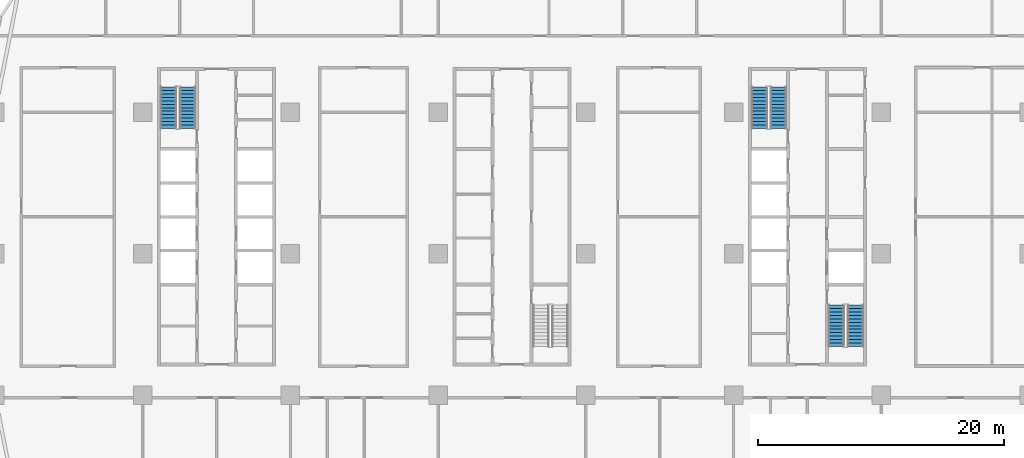
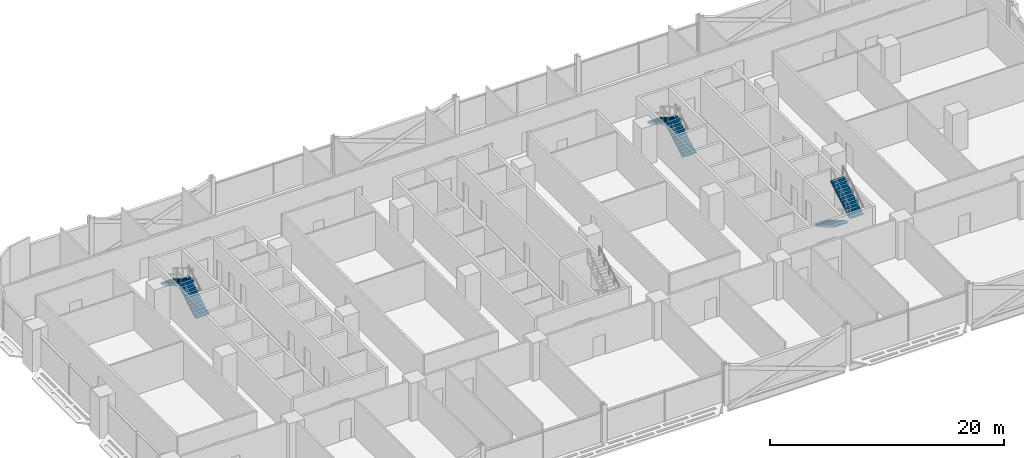
# One storey, part 19 of 30: 6 stair flights, 3 elements without a shape of their own.
"""IFC4 building model written with IfcOpenShell, lengths in metres."""

from ifc_helpers import new_model, si_unit, direction, frame, origin, place, context, subcontext, project, spatial, polyline, outline, extrude, material, type_object, element, aggregate, save


model = new_model("IFC4")

# Units and contexts
model_context = context("Model", 3, precision=1e-05, world=origin(), true_north=direction((0.0, 1.0)))
body_context = subcontext(model_context, "Body", "Model", "MODEL_VIEW")
ifc_project = project(units=[si_unit("LENGTHUNIT", "METRE"), si_unit("AREAUNIT", "SQUARE_METRE"), si_unit("VOLUMEUNIT", "CUBIC_METRE"), si_unit("PLANEANGLEUNIT", "RADIAN"), si_unit("MASSUNIT", "GRAM", prefix="KILO")], contexts=[model_context])

# Site, building, storey
site_placement = place(None, origin())
site = spatial("IfcSite", under=ifc_project, at=site_placement, CompositionType="ELEMENT")
building_placement = place(site_placement, origin())
building = spatial("IfcBuilding", under=site, at=building_placement, Name="Mahtab Terrace Research Tower", CompositionType="ELEMENT")
storey_placement = place(building_placement, frame((0.0, 0.0, 50.300048828125)))
storey = spatial("IfcBuildingStorey", under=building, at=storey_placement, Name="L11", CompositionType="ELEMENT", Elevation=50.300048828125)

# Stair, stair flights
ifc_material_1 = material(Name="Exit stair half-turn")
stair_type = type_object("IfcStairType", Name="Exit stair half-turn", PredefinedType="HALF_TURN_STAIR", material=ifc_material_1)
stair_1_placement = place(storey_placement, origin())
stair_1 = element("IfcStair", 1, at=stair_1_placement, inside=storey, type_object=stair_type, Name="L11 Protected exit stair ST1", PredefinedType="HALF_TURN_STAIR")
ifc_material_2 = material(Name="Concrete C40/50", Category="concrete")
stair_flight_type = type_object("IfcStairFlightType", Name="Exit stair flight 1300", PredefinedType="STRAIGHT", material=ifc_material_2)
stair_flight_1_placement = place(storey_placement, frame((-26.35009765625, 10.175048828125, 0.0), z_axis=(0.0, 0.0, 1.0), x_axis=(0.0, 1.0, 0.0)))
stair_flight_1 = element("IfcStairFlight", 2, at=stair_flight_1_placement, type_object=stair_flight_type, Name="ST1 flight 1", NumberOfRisers=13, NumberOfTreads=12, PredefinedType="STRAIGHT", RiserHeight=0.165384615, TreadLength=0.28, context=body_context, shape_type="SweptSolid", body=[
    extrude(outline(polyline([(0.0, 0.0), (0.0, 0.165283203125), (0.280029296875, 0.165283203125), (0.280029296875, 0.330810546875), (0.56005859375, 0.330810546875), (0.56005859375, 0.49609375), (0.840087890625, 0.49609375), (0.840087890625, 0.66162109375), (1.1201171875, 0.66162109375), (1.1201171875, 0.826904296875), (1.39990234375, 0.826904296875), (1.39990234375, 0.9921875), (1.679931640625, 0.9921875), (1.679931640625, 1.15771484375), (1.9599609375, 1.15771484375), (1.9599609375, 1.322998046875), (2.239990234375, 1.322998046875), (2.239990234375, 1.488525390625), (2.52001953125, 1.488525390625), (2.52001953125, 1.65380859375), (2.800048828125, 1.65380859375), (2.800048828125, 1.8193359375), (3.080078125, 1.8193359375), (3.080078125, 1.984619140625), (3.360107421875, 1.984619140625), (3.360107421875, 2.14990234375), (3.360107421875, 1.810546875), (0.294677734375, 0.0), (0.0, 0.0)])), frame((0.0, 0.64990234375, 0.0), z_axis=(0.0, -1.0, 0.0), x_axis=(1.0, 0.0, 0.0)), (0.0, 0.0, 1.0), 1.300048828125),
])
stair_flight_2_placement = place(storey_placement, frame((-27.89990234375, 13.534912109375, 2.14990234375), z_axis=(0.0, 0.0, 1.0), x_axis=(0.0, -1.0, 0.0)))
stair_flight_2 = element("IfcStairFlight", 3, at=stair_flight_2_placement, type_object=stair_flight_type, Name="ST1 flight 2", NumberOfRisers=13, NumberOfTreads=12, PredefinedType="STRAIGHT", RiserHeight=0.165384615, TreadLength=0.28, context=body_context, shape_type="SweptSolid", body=[
    extrude(outline(polyline([(0.0, 0.0), (0.0, 0.165283203125), (0.280029296875, 0.165283203125), (0.280029296875, 0.330810546875), (0.56005859375, 0.330810546875), (0.56005859375, 0.49609375), (0.840087890625, 0.49609375), (0.840087890625, 0.66162109375), (1.1201171875, 0.66162109375), (1.1201171875, 0.826904296875), (1.39990234375, 0.826904296875), (1.39990234375, 0.9921875), (1.679931640625, 0.9921875), (1.679931640625, 1.15771484375), (1.9599609375, 1.15771484375), (1.9599609375, 1.322998046875), (2.239990234375, 1.322998046875), (2.239990234375, 1.488525390625), (2.52001953125, 1.488525390625), (2.52001953125, 1.65380859375), (2.800048828125, 1.65380859375), (2.800048828125, 1.8193359375), (3.080078125, 1.8193359375), (3.080078125, 1.984619140625), (3.360107421875, 1.984619140625), (3.360107421875, 2.14990234375), (3.360107421875, 1.810546875), (0.294677734375, 0.0), (0.0, 0.0)])), frame((0.0, 0.64990234375, 0.0), z_axis=(0.0, -1.0, 0.0), x_axis=(1.0, 0.0, 0.0)), (0.0, 0.0, 1.0), 1.300048828125),
])
aggregate(stair_1, [stair_flight_1, stair_flight_2])

stair_2_placement = place(storey_placement, origin())
stair_2 = element("IfcStair", 4, at=stair_2_placement, inside=storey, type_object=stair_type, Name="L11 Protected exit stair ST3", PredefinedType="HALF_TURN_STAIR")
stair_flight_3_placement = place(storey_placement, frame((21.64990234375, 10.175048828125, 0.0), z_axis=(0.0, 0.0, 1.0), x_axis=(0.0, 1.0, 0.0)))
stair_flight_3 = element("IfcStairFlight", 5, at=stair_flight_3_placement, type_object=stair_flight_type, Name="ST3 flight 1", NumberOfRisers=13, NumberOfTreads=12, PredefinedType="STRAIGHT", RiserHeight=0.165384615, TreadLength=0.28, context=body_context, shape_type="SweptSolid", body=[
    extrude(outline(polyline([(0.0, 0.0), (0.0, 0.165283203125), (0.280029296875, 0.165283203125), (0.280029296875, 0.330810546875), (0.56005859375, 0.330810546875), (0.56005859375, 0.49609375), (0.840087890625, 0.49609375), (0.840087890625, 0.66162109375), (1.1201171875, 0.66162109375), (1.1201171875, 0.826904296875), (1.39990234375, 0.826904296875), (1.39990234375, 0.9921875), (1.679931640625, 0.9921875), (1.679931640625, 1.15771484375), (1.9599609375, 1.15771484375), (1.9599609375, 1.322998046875), (2.239990234375, 1.322998046875), (2.239990234375, 1.488525390625), (2.52001953125, 1.488525390625), (2.52001953125, 1.65380859375), (2.800048828125, 1.65380859375), (2.800048828125, 1.8193359375), (3.080078125, 1.8193359375), (3.080078125, 1.984619140625), (3.360107421875, 1.984619140625), (3.360107421875, 2.14990234375), (3.360107421875, 1.810546875), (0.294677734375, 0.0), (0.0, 0.0)])), frame((0.0, 0.64990234375, 0.0), z_axis=(0.0, -1.0, 0.0), x_axis=(1.0, 0.0, 0.0)), (0.0, 0.0, 1.0), 1.300048828125),
])
stair_flight_4_placement = place(storey_placement, frame((20.10009765625, 13.534912109375, 2.14990234375), z_axis=(0.0, 0.0, 1.0), x_axis=(0.0, -1.0, 0.0)))
stair_flight_4 = element("IfcStairFlight", 6, at=stair_flight_4_placement, type_object=stair_flight_type, Name="ST3 flight 2", NumberOfRisers=13, NumberOfTreads=12, PredefinedType="STRAIGHT", RiserHeight=0.165384615, TreadLength=0.28, context=body_context, shape_type="SweptSolid", body=[
    extrude(outline(polyline([(0.0, 0.0), (0.0, 0.165283203125), (0.280029296875, 0.165283203125), (0.280029296875, 0.330810546875), (0.56005859375, 0.330810546875), (0.56005859375, 0.49609375), (0.840087890625, 0.49609375), (0.840087890625, 0.66162109375), (1.1201171875, 0.66162109375), (1.1201171875, 0.826904296875), (1.39990234375, 0.826904296875), (1.39990234375, 0.9921875), (1.679931640625, 0.9921875), (1.679931640625, 1.15771484375), (1.9599609375, 1.15771484375), (1.9599609375, 1.322998046875), (2.239990234375, 1.322998046875), (2.239990234375, 1.488525390625), (2.52001953125, 1.488525390625), (2.52001953125, 1.65380859375), (2.800048828125, 1.65380859375), (2.800048828125, 1.8193359375), (3.080078125, 1.8193359375), (3.080078125, 1.984619140625), (3.360107421875, 1.984619140625), (3.360107421875, 2.14990234375), (3.360107421875, 1.810546875), (0.294677734375, 0.0), (0.0, 0.0)])), frame((0.0, 0.64990234375, 0.0), z_axis=(0.0, -1.0, 0.0), x_axis=(1.0, 0.0, 0.0)), (0.0, 0.0, 1.0), 1.300048828125),
])
aggregate(stair_2, [stair_flight_3, stair_flight_4])

stair_3_placement = place(storey_placement, origin())
stair_3 = element("IfcStair", 7, at=stair_3_placement, inside=storey, type_object=stair_type, Name="L11 Protected exit stair ST4", PredefinedType="HALF_TURN_STAIR")
stair_flight_5_placement = place(storey_placement, frame((26.35009765625, -4.175048828125, 0.0), z_axis=(0.0, 0.0, 1.0), x_axis=(0.0, -1.0, 0.0)))
stair_flight_5 = element("IfcStairFlight", 8, at=stair_flight_5_placement, type_object=stair_flight_type, Name="ST4 flight 1", NumberOfRisers=13, NumberOfTreads=12, PredefinedType="STRAIGHT", RiserHeight=0.165384615, TreadLength=0.28, context=body_context, shape_type="SweptSolid", body=[
    extrude(outline(polyline([(0.0, 0.0), (0.0, 0.165283203125), (0.280029296875, 0.165283203125), (0.280029296875, 0.330810546875), (0.56005859375, 0.330810546875), (0.56005859375, 0.49609375), (0.840087890625, 0.49609375), (0.840087890625, 0.66162109375), (1.1201171875, 0.66162109375), (1.1201171875, 0.826904296875), (1.39990234375, 0.826904296875), (1.39990234375, 0.9921875), (1.679931640625, 0.9921875), (1.679931640625, 1.15771484375), (1.9599609375, 1.15771484375), (1.9599609375, 1.322998046875), (2.239990234375, 1.322998046875), (2.239990234375, 1.488525390625), (2.52001953125, 1.488525390625), (2.52001953125, 1.65380859375), (2.800048828125, 1.65380859375), (2.800048828125, 1.8193359375), (3.080078125, 1.8193359375), (3.080078125, 1.984619140625), (3.360107421875, 1.984619140625), (3.360107421875, 2.14990234375), (3.360107421875, 1.810546875), (0.294677734375, 0.0), (0.0, 0.0)])), frame((0.0, 0.64990234375, 0.0), z_axis=(0.0, -1.0, 0.0), x_axis=(1.0, 0.0, 0.0)), (0.0, 0.0, 1.0), 1.300048828125),
])
stair_flight_6_placement = place(storey_placement, frame((27.89990234375, -7.534912109375, 2.14990234375), z_axis=(0.0, 0.0, 1.0), x_axis=(0.0, 1.0, 0.0)))
stair_flight_6 = element("IfcStairFlight", 9, at=stair_flight_6_placement, type_object=stair_flight_type, Name="ST4 flight 2", NumberOfRisers=13, NumberOfTreads=12, PredefinedType="STRAIGHT", RiserHeight=0.165384615, TreadLength=0.28, context=body_context, shape_type="SweptSolid", body=[
    extrude(outline(polyline([(0.0, 0.0), (0.0, 0.165283203125), (0.280029296875, 0.165283203125), (0.280029296875, 0.330810546875), (0.56005859375, 0.330810546875), (0.56005859375, 0.49609375), (0.840087890625, 0.49609375), (0.840087890625, 0.66162109375), (1.1201171875, 0.66162109375), (1.1201171875, 0.826904296875), (1.39990234375, 0.826904296875), (1.39990234375, 0.9921875), (1.679931640625, 0.9921875), (1.679931640625, 1.15771484375), (1.9599609375, 1.15771484375), (1.9599609375, 1.322998046875), (2.239990234375, 1.322998046875), (2.239990234375, 1.488525390625), (2.52001953125, 1.488525390625), (2.52001953125, 1.65380859375), (2.800048828125, 1.65380859375), (2.800048828125, 1.8193359375), (3.080078125, 1.8193359375), (3.080078125, 1.984619140625), (3.360107421875, 1.984619140625), (3.360107421875, 2.14990234375), (3.360107421875, 1.810546875), (0.294677734375, 0.0), (0.0, 0.0)])), frame((0.0, 0.64990234375, 0.0), z_axis=(0.0, -1.0, 0.0), x_axis=(1.0, 0.0, 0.0)), (0.0, 0.0, 1.0), 1.300048828125),
])
aggregate(stair_3, [stair_flight_5, stair_flight_6])

save(model, "model.ifc")
